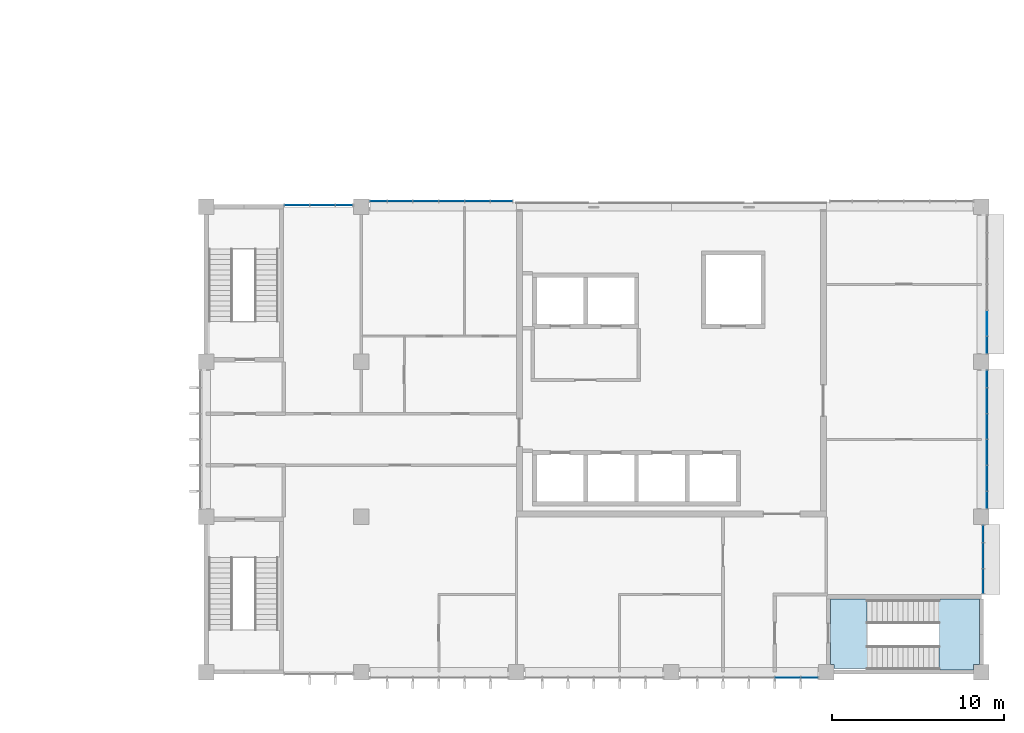
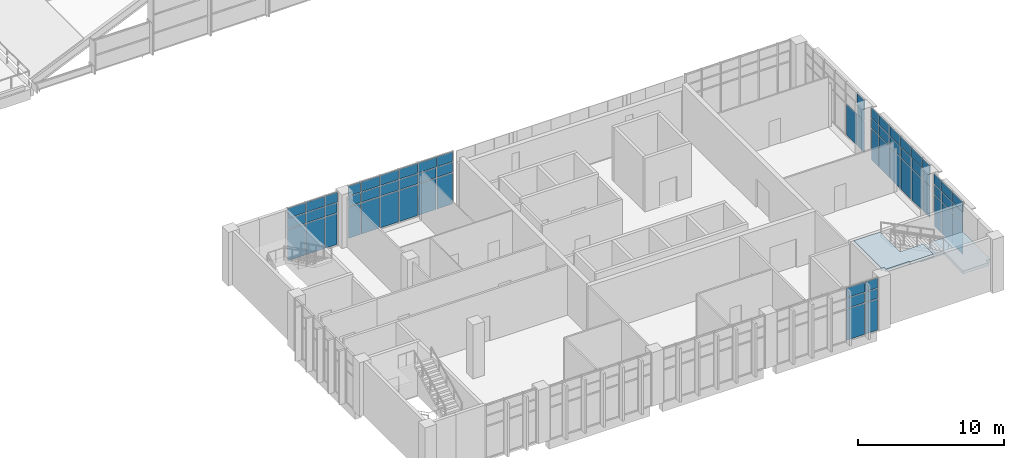
# One storey, part 63 of 106: 64 plates, 2 slabs, 7 elements without a shape of their own.
"""IFC4 building model written with IfcOpenShell, lengths in metres."""

from ifc_helpers import new_model, si_unit, direction, frame, origin, origin_2d, place, context, subcontext, project, spatial, polyline, rectangle, outline, extrude, material, layer, layer_set, type_object, element, aggregate, save


model = new_model("IFC4")

# Units and contexts
model_context = context("Model", 3, precision=1e-05, world=origin(), true_north=direction((0.0, 1.0)))
body_context = subcontext(model_context, "Body", "Model", "MODEL_VIEW")
ifc_project = project(units=[si_unit("LENGTHUNIT", "METRE"), si_unit("AREAUNIT", "SQUARE_METRE"), si_unit("VOLUMEUNIT", "CUBIC_METRE"), si_unit("PLANEANGLEUNIT", "RADIAN"), si_unit("MASSUNIT", "GRAM", prefix="KILO")], contexts=[model_context])

# Site, building, storey
site_placement = place(None, origin())
site = spatial("IfcSite", under=ifc_project, at=site_placement, CompositionType="ELEMENT")
building_placement = place(site_placement, origin())
building = spatial("IfcBuilding", under=site, at=building_placement, Name="Guidao Yard Department Store", CompositionType="ELEMENT")
storey_placement = place(building_placement, frame((0.0, 0.0, 10.5)))
storey = spatial("IfcBuildingStorey", under=building, at=storey_placement, Name="L02", CompositionType="ELEMENT", Elevation=10.5)

# Curtain wall, plates
ifc_material_1 = material(Name="Aluminium and glass", Category="aluminium")
ifc_layer_1 = layer(ifc_material_1, 0.159912109375)
ifc_layer_set_1 = layer_set([ifc_layer_1], Name="Unitised curtain wall CW4 1500 module")
curtain_wall_type = type_object("IfcCurtainWallType", Name="Unitised curtain wall CW4 1500 module", PredefinedType="NOTDEFINED", material=ifc_layer_set_1)
curtain_wall_1_placement = place(storey_placement, origin())
curtain_wall_1 = element("IfcCurtainWall", 1, at=curtain_wall_1_placement, inside=storey, type_object=curtain_wall_type, Name="Unitised curtain wall", PredefinedType="NOTDEFINED")
ifc_material_2 = material(Name="Aluminium 6063-T5 faced insulated spandrel", Category="aluminium")
ifc_layer_2 = layer(ifc_material_2, 0.06005859375)
ifc_layer_set_2 = layer_set([ifc_layer_2], Name="Spandrel panel SP1 insulated opaque")
plate_type_1 = type_object("IfcPlateType", Name="Spandrel panel SP1 insulated opaque", PredefinedType="CURTAIN_PANEL", material=ifc_layer_set_2)
plate_1_placement = place(storey_placement, frame((159.75, -0.330078125, 3.6298828125), z_axis=(0.0, 0.0, 1.0), x_axis=(-1.0, 0.0, 0.0)))
plate_1 = element("IfcPlate", 2, at=plate_1_placement, type_object=plate_type_1, Name="CW-OW-L02-04 panel 5.3", PredefinedType="CURTAIN_PANEL", context=body_context, shape_type="SweptSolid", body=[
    extrude(rectangle(XDim=1.43994140625, YDim=0.06005859375, at=origin_2d()), origin(), (0.0, 0.0, 1.0), 0.81005859375),
])
plate_2_placement = place(storey_placement, frame((161.010009765625, -0.330078125, 3.6298828125), z_axis=(0.0, 0.0, 1.0), x_axis=(-1.0, 0.0, 0.0)))
plate_2 = element("IfcPlate", 3, at=plate_2_placement, type_object=plate_type_1, Name="CW-OW-L02-04 panel 6.3", PredefinedType="CURTAIN_PANEL", context=body_context, shape_type="SweptSolid", body=[
    extrude(rectangle(XDim=0.9599609375, YDim=0.06005859375, at=origin_2d()), origin(), (0.0, 0.0, 1.0), 0.81005859375),
])

curtain_wall_2_placement = place(storey_placement, origin())
curtain_wall_2 = element("IfcCurtainWall", 4, at=curtain_wall_2_placement, inside=storey, type_object=curtain_wall_type, Name="Unitised curtain wall", PredefinedType="NOTDEFINED")
plate_3_placement = place(storey_placement, frame((131.264892578125, 27.10009765625, 3.6298828125), z_axis=(0.0, 0.0, 1.0), x_axis=(1.0, 0.0, 0.0)))
plate_3 = element("IfcPlate", 5, at=plate_3_placement, type_object=plate_type_1, Name="CW-OW-L02-06 panel 1.3", PredefinedType="CURTAIN_PANEL", context=body_context, shape_type="SweptSolid", body=[
    extrude(rectangle(XDim=1.409912109375, YDim=0.06005859375, at=origin_2d()), origin(), (0.0, 0.0, 1.0), 0.81005859375),
])
plate_4_placement = place(storey_placement, frame((132.75, 27.10009765625, 3.6298828125), z_axis=(0.0, 0.0, 1.0), x_axis=(1.0, 0.0, 0.0)))
plate_4 = element("IfcPlate", 6, at=plate_4_placement, type_object=plate_type_1, Name="CW-OW-L02-06 panel 2.3", PredefinedType="CURTAIN_PANEL", context=body_context, shape_type="SweptSolid", body=[
    extrude(rectangle(XDim=1.43994140625, YDim=0.06005859375, at=origin_2d()), origin(), (0.0, 0.0, 1.0), 0.81005859375),
])
plate_5_placement = place(storey_placement, frame((134.010009765625, 27.10009765625, 3.6298828125), z_axis=(0.0, 0.0, 1.0), x_axis=(1.0, 0.0, 0.0)))
plate_5 = element("IfcPlate", 7, at=plate_5_placement, type_object=plate_type_1, Name="CW-OW-L02-06 panel 3.3", PredefinedType="CURTAIN_PANEL", context=body_context, shape_type="SweptSolid", body=[
    extrude(rectangle(XDim=0.9599609375, YDim=0.06005859375, at=origin_2d()), origin(), (0.0, 0.0, 1.0), 0.81005859375),
])

curtain_wall_3_placement = place(storey_placement, origin())
curtain_wall_3 = element("IfcCurtainWall", 8, at=curtain_wall_3_placement, inside=storey, type_object=curtain_wall_type, Name="Unitised curtain wall", PredefinedType="NOTDEFINED")
plate_6_placement = place(storey_placement, frame((135.989990234375, 27.330078125, 3.6298828125), z_axis=(0.0, 0.0, 1.0), x_axis=(1.0, 0.0, 0.0)))
plate_6 = element("IfcPlate", 9, at=plate_6_placement, type_object=plate_type_1, Name="CW-OW-L02-07 panel 1.3", PredefinedType="CURTAIN_PANEL", context=body_context, shape_type="SweptSolid", body=[
    extrude(rectangle(XDim=0.9599609375, YDim=0.06005859375, at=origin_2d()), origin(), (0.0, 0.0, 1.0), 0.81005859375),
])
plate_7_placement = place(storey_placement, frame((137.25, 27.330078125, 3.6298828125), z_axis=(0.0, 0.0, 1.0), x_axis=(1.0, 0.0, 0.0)))
plate_7 = element("IfcPlate", 10, at=plate_7_placement, type_object=plate_type_1, Name="CW-OW-L02-07 panel 2.3", PredefinedType="CURTAIN_PANEL", context=body_context, shape_type="SweptSolid", body=[
    extrude(rectangle(XDim=1.43994140625, YDim=0.06005859375, at=origin_2d()), origin(), (0.0, 0.0, 1.0), 0.81005859375),
])
plate_8_placement = place(storey_placement, frame((138.75, 27.330078125, 3.6298828125), z_axis=(0.0, 0.0, 1.0), x_axis=(1.0, 0.0, 0.0)))
plate_8 = element("IfcPlate", 11, at=plate_8_placement, type_object=plate_type_1, Name="CW-OW-L02-07 panel 3.3", PredefinedType="CURTAIN_PANEL", context=body_context, shape_type="SweptSolid", body=[
    extrude(rectangle(XDim=1.43994140625, YDim=0.06005859375, at=origin_2d()), origin(), (0.0, 0.0, 1.0), 0.81005859375),
])
plate_9_placement = place(storey_placement, frame((140.25, 27.330078125, 3.6298828125), z_axis=(0.0, 0.0, 1.0), x_axis=(1.0, 0.0, 0.0)))
plate_9 = element("IfcPlate", 12, at=plate_9_placement, type_object=plate_type_1, Name="CW-OW-L02-07 panel 4.3", PredefinedType="CURTAIN_PANEL", context=body_context, shape_type="SweptSolid", body=[
    extrude(rectangle(XDim=1.43994140625, YDim=0.06005859375, at=origin_2d()), origin(), (0.0, 0.0, 1.0), 0.81005859375),
])
plate_10_placement = place(storey_placement, frame((141.75, 27.330078125, 3.6298828125), z_axis=(0.0, 0.0, 1.0), x_axis=(1.0, 0.0, 0.0)))
plate_10 = element("IfcPlate", 13, at=plate_10_placement, type_object=plate_type_1, Name="CW-OW-L02-07 panel 5.3", PredefinedType="CURTAIN_PANEL", context=body_context, shape_type="SweptSolid", body=[
    extrude(rectangle(XDim=1.43994140625, YDim=0.06005859375, at=origin_2d()), origin(), (0.0, 0.0, 1.0), 0.81005859375),
])
plate_11_placement = place(storey_placement, frame((143.1474609375, 27.330078125, 3.6298828125), z_axis=(0.0, 0.0, 1.0), x_axis=(1.0, 0.0, 0.0)))
plate_11 = element("IfcPlate", 14, at=plate_11_placement, type_object=plate_type_1, Name="CW-OW-L02-07 panel 6.3", PredefinedType="CURTAIN_PANEL", context=body_context, shape_type="SweptSolid", body=[
    extrude(rectangle(XDim=1.235107421875, YDim=0.06005859375, at=origin_2d()), origin(), (0.0, 0.0, 1.0), 0.81005859375),
])

curtain_wall_4_placement = place(storey_placement, origin())
curtain_wall_4 = element("IfcCurtainWall", 15, at=curtain_wall_4_placement, inside=storey, type_object=curtain_wall_type, Name="Unitised curtain wall", PredefinedType="NOTDEFINED")
plate_12_placement = place(storey_placement, frame((171.10009765625, 5.264892578125, 3.6298828125), z_axis=(0.0, 0.0, 1.0), x_axis=(0.0, -1.0, 0.0)))
plate_12 = element("IfcPlate", 16, at=plate_12_placement, type_object=plate_type_1, Name="CW-OW-L02-09 panel 1.3", PredefinedType="CURTAIN_PANEL", context=body_context, shape_type="SweptSolid", body=[
    extrude(rectangle(XDim=1.409912109375, YDim=0.06005859375, at=origin_2d()), origin(), (0.0, 0.0, 1.0), 0.81005859375),
])
plate_13_placement = place(storey_placement, frame((171.10009765625, 6.75, 3.6298828125), z_axis=(0.0, 0.0, 1.0), x_axis=(0.0, -1.0, 0.0)))
plate_13 = element("IfcPlate", 17, at=plate_13_placement, type_object=plate_type_1, Name="CW-OW-L02-09 panel 2.3", PredefinedType="CURTAIN_PANEL", context=body_context, shape_type="SweptSolid", body=[
    extrude(rectangle(XDim=1.43994140625, YDim=0.06005859375, at=origin_2d()), origin(), (0.0, 0.0, 1.0), 0.81005859375),
])
plate_14_placement = place(storey_placement, frame((171.10009765625, 8.010009765625, 3.6298828125), z_axis=(0.0, 0.0, 1.0), x_axis=(0.0, -1.0, 0.0)))
plate_14 = element("IfcPlate", 18, at=plate_14_placement, type_object=plate_type_1, Name="CW-OW-L02-09 panel 3.3", PredefinedType="CURTAIN_PANEL", context=body_context, shape_type="SweptSolid", body=[
    extrude(rectangle(XDim=0.9599609375, YDim=0.06005859375, at=origin_2d()), origin(), (0.0, 0.0, 1.0), 0.81005859375),
])

curtain_wall_5_placement = place(storey_placement, origin())
curtain_wall_5 = element("IfcCurtainWall", 19, at=curtain_wall_5_placement, inside=storey, type_object=curtain_wall_type, Name="Unitised curtain wall", PredefinedType="NOTDEFINED")
plate_15_placement = place(storey_placement, frame((171.330078125, 9.989990234375, 3.6298828125), z_axis=(0.0, 0.0, 1.0), x_axis=(0.0, -1.0, 0.0)))
plate_15 = element("IfcPlate", 20, at=plate_15_placement, type_object=plate_type_1, Name="CW-OW-L02-10 panel 1.3", PredefinedType="CURTAIN_PANEL", context=body_context, shape_type="SweptSolid", body=[
    extrude(rectangle(XDim=0.9599609375, YDim=0.06005859375, at=origin_2d()), origin(), (0.0, 0.0, 1.0), 0.81005859375),
])
plate_16_placement = place(storey_placement, frame((171.330078125, 11.25, 3.6298828125), z_axis=(0.0, 0.0, 1.0), x_axis=(0.0, -1.0, 0.0)))
plate_16 = element("IfcPlate", 21, at=plate_16_placement, type_object=plate_type_1, Name="CW-OW-L02-10 panel 2.3", PredefinedType="CURTAIN_PANEL", context=body_context, shape_type="SweptSolid", body=[
    extrude(rectangle(XDim=1.43994140625, YDim=0.06005859375, at=origin_2d()), origin(), (0.0, 0.0, 1.0), 0.81005859375),
])
plate_17_placement = place(storey_placement, frame((171.330078125, 12.75, 3.6298828125), z_axis=(0.0, 0.0, 1.0), x_axis=(0.0, -1.0, 0.0)))
plate_17 = element("IfcPlate", 22, at=plate_17_placement, type_object=plate_type_1, Name="CW-OW-L02-10 panel 3.3", PredefinedType="CURTAIN_PANEL", context=body_context, shape_type="SweptSolid", body=[
    extrude(rectangle(XDim=1.43994140625, YDim=0.06005859375, at=origin_2d()), origin(), (0.0, 0.0, 1.0), 0.81005859375),
])
plate_18_placement = place(storey_placement, frame((171.330078125, 14.25, 3.6298828125), z_axis=(0.0, 0.0, 1.0), x_axis=(0.0, -1.0, 0.0)))
plate_18 = element("IfcPlate", 23, at=plate_18_placement, type_object=plate_type_1, Name="CW-OW-L02-10 panel 4.3", PredefinedType="CURTAIN_PANEL", context=body_context, shape_type="SweptSolid", body=[
    extrude(rectangle(XDim=1.43994140625, YDim=0.06005859375, at=origin_2d()), origin(), (0.0, 0.0, 1.0), 0.81005859375),
])
plate_19_placement = place(storey_placement, frame((171.330078125, 15.75, 3.6298828125), z_axis=(0.0, 0.0, 1.0), x_axis=(0.0, -1.0, 0.0)))
plate_19 = element("IfcPlate", 24, at=plate_19_placement, type_object=plate_type_1, Name="CW-OW-L02-10 panel 5.3", PredefinedType="CURTAIN_PANEL", context=body_context, shape_type="SweptSolid", body=[
    extrude(rectangle(XDim=1.43994140625, YDim=0.06005859375, at=origin_2d()), origin(), (0.0, 0.0, 1.0), 0.81005859375),
])
plate_20_placement = place(storey_placement, frame((171.330078125, 17.010009765625, 3.6298828125), z_axis=(0.0, 0.0, 1.0), x_axis=(0.0, -1.0, 0.0)))
plate_20 = element("IfcPlate", 25, at=plate_20_placement, type_object=plate_type_1, Name="CW-OW-L02-10 panel 6.3", PredefinedType="CURTAIN_PANEL", context=body_context, shape_type="SweptSolid", body=[
    extrude(rectangle(XDim=0.9599609375, YDim=0.06005859375, at=origin_2d()), origin(), (0.0, 0.0, 1.0), 0.81005859375),
])

# Curtain wall, plate
curtain_wall_6_placement = place(storey_placement, origin())
curtain_wall_6 = element("IfcCurtainWall", 26, at=curtain_wall_6_placement, inside=storey, type_object=curtain_wall_type, Name="Unitised curtain wall", PredefinedType="NOTDEFINED")
plate_21_placement = place(storey_placement, frame((171.330078125, 18.989990234375, 3.6298828125), z_axis=(0.0, 0.0, 1.0), x_axis=(0.0, -1.0, 0.0)))
plate_21 = element("IfcPlate", 27, at=plate_21_placement, type_object=plate_type_1, Name="CW-OW-L02-11 panel 1.3", PredefinedType="CURTAIN_PANEL", context=body_context, shape_type="SweptSolid", body=[
    extrude(rectangle(XDim=0.9599609375, YDim=0.06005859375, at=origin_2d()), origin(), (0.0, 0.0, 1.0), 0.81005859375),
])

# Stair, slabs
ifc_material_3 = material(Name="Concrete C35", Category="concrete")
stair_type = type_object("IfcStairType", Name="Stair half-turn two-flight 1400 wide 4.5 m rise", PredefinedType="HALF_TURN_STAIR", material=ifc_material_3)
stair_placement = place(storey_placement, origin())
stair = element("IfcStair", 28, at=stair_placement, inside=storey, type_object=stair_type, Name="Stair O2 L02 to L03", PredefinedType="HALF_TURN_STAIR")
ifc_material_4 = material(Name="Concrete C35", Category="concrete")
ifc_layer_3 = layer(ifc_material_4, 0.25)
ifc_layer_set_3 = layer_set([ifc_layer_3], Name="Stair landing RC 250 C35")
slab_type = type_object("IfcSlabType", Name="Stair landing RC 250 C35", PredefinedType="LANDING", material=ifc_layer_set_3)
slab_1_placement = place(storey_placement, frame((0.0, 0.0, 2.0)))
slab_1 = element("IfcSlab", 29, at=slab_1_placement, type_object=slab_type, Name="SO2-L02 landing 1", PredefinedType="LANDING", context=body_context, shape_type="SweptSolid", body=[
    extrude(outline(polyline([(168.550048828125, 1.52490234375), (168.550048828125, 2.800048828125), (166.719970703125, 2.800048828125), (166.719970703125, 4.199951171875), (168.550048828125, 4.199951171875), (168.550048828125, 4.25), (170.875, 4.25), (170.875, 0.449951171875), (170.550048828125, 0.449951171875), (170.550048828125, 0.125), (168.550048828125, 0.125), (168.5400390625, 0.125), (168.5400390625, 1.52490234375), (168.550048828125, 1.52490234375)])), origin(), (0.0, 0.0, 1.0), 0.25),
])
slab_2_placement = place(storey_placement, frame((0.0, 0.0, 4.25)))
slab_2 = element("IfcSlab", 30, at=slab_2_placement, type_object=slab_type, Name="SO2-L02 landing 2", PredefinedType="LANDING", context=body_context, shape_type="SweptSolid", body=[
    extrude(outline(polyline([(164.35009765625, 0.125), (164.35009765625, 0.199951171875), (162.449951171875, 0.199951171875), (162.449951171875, 0.449951171875), (162.25, 0.449951171875), (162.25, 2.800048828125), (162.25, 4.25), (164.360107421875, 4.25), (164.360107421875, 2.800048828125), (164.35009765625, 2.800048828125), (164.35009765625, 1.52490234375), (166.179931640625, 1.52490234375), (166.179931640625, 0.125), (164.35009765625, 0.125)])), origin(), (0.0, 0.0, 1.0), 0.25),
])
aggregate(stair, [slab_1, slab_2])

# Plate
ifc_material_5 = material(Name="Laminated heat-soaked tempered glass", Category="glass")
ifc_layer_4 = layer(ifc_material_5, 0.017578125)
ifc_layer_set_4 = layer_set([ifc_layer_4], Name="Vision glass VG1 laminated heat-soaked tempered 8+8")
plate_type_2 = type_object("IfcPlateType", Name="Vision glass VG1 laminated heat-soaked tempered 8+8", PredefinedType="CURTAIN_PANEL", material=ifc_layer_set_4)
plate_22_placement = place(storey_placement, frame((159.75, -0.330078125, 0.06005859375), z_axis=(0.0, 0.0, 1.0), x_axis=(-1.0, 0.0, 0.0)))
plate_22 = element("IfcPlate", 31, at=plate_22_placement, type_object=plate_type_2, Name="CW-OW-L02-04 panel 5.1", PredefinedType="CURTAIN_PANEL", context=body_context, shape_type="SweptSolid", body=[
    extrude(rectangle(XDim=1.43994140625, YDim=0.017578125, at=origin_2d()), origin(), (0.0, 0.0, 1.0), 2.610107421875),
])

plate_23_placement = place(storey_placement, frame((159.75, -0.330078125, 2.72998046875), z_axis=(0.0, 0.0, 1.0), x_axis=(-1.0, 0.0, 0.0)))
plate_23 = element("IfcPlate", 32, at=plate_23_placement, type_object=plate_type_2, Name="CW-OW-L02-04 panel 5.2", PredefinedType="CURTAIN_PANEL", context=body_context, shape_type="SweptSolid", body=[
    extrude(rectangle(XDim=1.43994140625, YDim=0.017578125, at=origin_2d()), origin(), (0.0, 0.0, 1.0), 0.840087890625),
])

plate_24_placement = place(storey_placement, frame((161.010009765625, -0.330078125, 0.06005859375), z_axis=(0.0, 0.0, 1.0), x_axis=(-1.0, 0.0, 0.0)))
plate_24 = element("IfcPlate", 33, at=plate_24_placement, type_object=plate_type_2, Name="CW-OW-L02-04 panel 6.1", PredefinedType="CURTAIN_PANEL", context=body_context, shape_type="SweptSolid", body=[
    extrude(rectangle(XDim=0.9599609375, YDim=0.017578125, at=origin_2d()), origin(), (0.0, 0.0, 1.0), 2.610107421875),
])

plate_25_placement = place(storey_placement, frame((161.010009765625, -0.330078125, 2.72998046875), z_axis=(0.0, 0.0, 1.0), x_axis=(-1.0, 0.0, 0.0)))
plate_25 = element("IfcPlate", 34, at=plate_25_placement, type_object=plate_type_2, Name="CW-OW-L02-04 panel 6.2", PredefinedType="CURTAIN_PANEL", context=body_context, shape_type="SweptSolid", body=[
    extrude(rectangle(XDim=0.9599609375, YDim=0.017578125, at=origin_2d()), origin(), (0.0, 0.0, 1.0), 0.840087890625),
])

aggregate(curtain_wall_1, [plate_22, plate_23, plate_1, plate_24, plate_25, plate_2])

plate_26_placement = place(storey_placement, frame((131.264892578125, 27.10009765625, 0.06005859375), z_axis=(0.0, 0.0, 1.0), x_axis=(1.0, 0.0, 0.0)))
plate_26 = element("IfcPlate", 35, at=plate_26_placement, type_object=plate_type_2, Name="CW-OW-L02-06 panel 1.1", PredefinedType="CURTAIN_PANEL", context=body_context, shape_type="SweptSolid", body=[
    extrude(rectangle(XDim=1.409912109375, YDim=0.017578125, at=origin_2d()), origin(), (0.0, 0.0, 1.0), 2.610107421875),
])

plate_27_placement = place(storey_placement, frame((131.264892578125, 27.10009765625, 2.72998046875), z_axis=(0.0, 0.0, 1.0), x_axis=(1.0, 0.0, 0.0)))
plate_27 = element("IfcPlate", 36, at=plate_27_placement, type_object=plate_type_2, Name="CW-OW-L02-06 panel 1.2", PredefinedType="CURTAIN_PANEL", context=body_context, shape_type="SweptSolid", body=[
    extrude(rectangle(XDim=1.409912109375, YDim=0.017578125, at=origin_2d()), origin(), (0.0, 0.0, 1.0), 0.840087890625),
])

plate_28_placement = place(storey_placement, frame((132.75, 27.10009765625, 0.06005859375), z_axis=(0.0, 0.0, 1.0), x_axis=(1.0, 0.0, 0.0)))
plate_28 = element("IfcPlate", 37, at=plate_28_placement, type_object=plate_type_2, Name="CW-OW-L02-06 panel 2.1", PredefinedType="CURTAIN_PANEL", context=body_context, shape_type="SweptSolid", body=[
    extrude(rectangle(XDim=1.43994140625, YDim=0.017578125, at=origin_2d()), origin(), (0.0, 0.0, 1.0), 2.610107421875),
])

plate_29_placement = place(storey_placement, frame((132.75, 27.10009765625, 2.72998046875), z_axis=(0.0, 0.0, 1.0), x_axis=(1.0, 0.0, 0.0)))
plate_29 = element("IfcPlate", 38, at=plate_29_placement, type_object=plate_type_2, Name="CW-OW-L02-06 panel 2.2", PredefinedType="CURTAIN_PANEL", context=body_context, shape_type="SweptSolid", body=[
    extrude(rectangle(XDim=1.43994140625, YDim=0.017578125, at=origin_2d()), origin(), (0.0, 0.0, 1.0), 0.840087890625),
])

plate_30_placement = place(storey_placement, frame((134.010009765625, 27.10009765625, 0.06005859375), z_axis=(0.0, 0.0, 1.0), x_axis=(1.0, 0.0, 0.0)))
plate_30 = element("IfcPlate", 39, at=plate_30_placement, type_object=plate_type_2, Name="CW-OW-L02-06 panel 3.1", PredefinedType="CURTAIN_PANEL", context=body_context, shape_type="SweptSolid", body=[
    extrude(rectangle(XDim=0.9599609375, YDim=0.017578125, at=origin_2d()), origin(), (0.0, 0.0, 1.0), 2.610107421875),
])

plate_31_placement = place(storey_placement, frame((134.010009765625, 27.10009765625, 2.72998046875), z_axis=(0.0, 0.0, 1.0), x_axis=(1.0, 0.0, 0.0)))
plate_31 = element("IfcPlate", 40, at=plate_31_placement, type_object=plate_type_2, Name="CW-OW-L02-06 panel 3.2", PredefinedType="CURTAIN_PANEL", context=body_context, shape_type="SweptSolid", body=[
    extrude(rectangle(XDim=0.9599609375, YDim=0.017578125, at=origin_2d()), origin(), (0.0, 0.0, 1.0), 0.840087890625),
])

aggregate(curtain_wall_2, [plate_26, plate_27, plate_3, plate_28, plate_29, plate_4, plate_30, plate_31, plate_5])

plate_32_placement = place(storey_placement, frame((135.989990234375, 27.330078125, 0.06005859375), z_axis=(0.0, 0.0, 1.0), x_axis=(1.0, 0.0, 0.0)))
plate_32 = element("IfcPlate", 41, at=plate_32_placement, type_object=plate_type_2, Name="CW-OW-L02-07 panel 1.1", PredefinedType="CURTAIN_PANEL", context=body_context, shape_type="SweptSolid", body=[
    extrude(rectangle(XDim=0.9599609375, YDim=0.017578125, at=origin_2d()), origin(), (0.0, 0.0, 1.0), 2.610107421875),
])

plate_33_placement = place(storey_placement, frame((135.989990234375, 27.330078125, 2.72998046875), z_axis=(0.0, 0.0, 1.0), x_axis=(1.0, 0.0, 0.0)))
plate_33 = element("IfcPlate", 42, at=plate_33_placement, type_object=plate_type_2, Name="CW-OW-L02-07 panel 1.2", PredefinedType="CURTAIN_PANEL", context=body_context, shape_type="SweptSolid", body=[
    extrude(rectangle(XDim=0.9599609375, YDim=0.017578125, at=origin_2d()), origin(), (0.0, 0.0, 1.0), 0.840087890625),
])

plate_34_placement = place(storey_placement, frame((137.25, 27.330078125, 0.06005859375), z_axis=(0.0, 0.0, 1.0), x_axis=(1.0, 0.0, 0.0)))
plate_34 = element("IfcPlate", 43, at=plate_34_placement, type_object=plate_type_2, Name="CW-OW-L02-07 panel 2.1", PredefinedType="CURTAIN_PANEL", context=body_context, shape_type="SweptSolid", body=[
    extrude(rectangle(XDim=1.43994140625, YDim=0.017578125, at=origin_2d()), origin(), (0.0, 0.0, 1.0), 2.610107421875),
])

plate_35_placement = place(storey_placement, frame((137.25, 27.330078125, 2.72998046875), z_axis=(0.0, 0.0, 1.0), x_axis=(1.0, 0.0, 0.0)))
plate_35 = element("IfcPlate", 44, at=plate_35_placement, type_object=plate_type_2, Name="CW-OW-L02-07 panel 2.2", PredefinedType="CURTAIN_PANEL", context=body_context, shape_type="SweptSolid", body=[
    extrude(rectangle(XDim=1.43994140625, YDim=0.017578125, at=origin_2d()), origin(), (0.0, 0.0, 1.0), 0.840087890625),
])

plate_36_placement = place(storey_placement, frame((138.75, 27.330078125, 0.06005859375), z_axis=(0.0, 0.0, 1.0), x_axis=(1.0, 0.0, 0.0)))
plate_36 = element("IfcPlate", 45, at=plate_36_placement, type_object=plate_type_2, Name="CW-OW-L02-07 panel 3.1", PredefinedType="CURTAIN_PANEL", context=body_context, shape_type="SweptSolid", body=[
    extrude(rectangle(XDim=1.43994140625, YDim=0.017578125, at=origin_2d()), origin(), (0.0, 0.0, 1.0), 2.610107421875),
])

plate_37_placement = place(storey_placement, frame((138.75, 27.330078125, 2.72998046875), z_axis=(0.0, 0.0, 1.0), x_axis=(1.0, 0.0, 0.0)))
plate_37 = element("IfcPlate", 46, at=plate_37_placement, type_object=plate_type_2, Name="CW-OW-L02-07 panel 3.2", PredefinedType="CURTAIN_PANEL", context=body_context, shape_type="SweptSolid", body=[
    extrude(rectangle(XDim=1.43994140625, YDim=0.017578125, at=origin_2d()), origin(), (0.0, 0.0, 1.0), 0.840087890625),
])

plate_38_placement = place(storey_placement, frame((140.25, 27.330078125, 0.06005859375), z_axis=(0.0, 0.0, 1.0), x_axis=(1.0, 0.0, 0.0)))
plate_38 = element("IfcPlate", 47, at=plate_38_placement, type_object=plate_type_2, Name="CW-OW-L02-07 panel 4.1", PredefinedType="CURTAIN_PANEL", context=body_context, shape_type="SweptSolid", body=[
    extrude(rectangle(XDim=1.43994140625, YDim=0.017578125, at=origin_2d()), origin(), (0.0, 0.0, 1.0), 2.610107421875),
])

plate_39_placement = place(storey_placement, frame((140.25, 27.330078125, 2.72998046875), z_axis=(0.0, 0.0, 1.0), x_axis=(1.0, 0.0, 0.0)))
plate_39 = element("IfcPlate", 48, at=plate_39_placement, type_object=plate_type_2, Name="CW-OW-L02-07 panel 4.2", PredefinedType="CURTAIN_PANEL", context=body_context, shape_type="SweptSolid", body=[
    extrude(rectangle(XDim=1.43994140625, YDim=0.017578125, at=origin_2d()), origin(), (0.0, 0.0, 1.0), 0.840087890625),
])

plate_40_placement = place(storey_placement, frame((141.75, 27.330078125, 0.06005859375), z_axis=(0.0, 0.0, 1.0), x_axis=(1.0, 0.0, 0.0)))
plate_40 = element("IfcPlate", 49, at=plate_40_placement, type_object=plate_type_2, Name="CW-OW-L02-07 panel 5.1", PredefinedType="CURTAIN_PANEL", context=body_context, shape_type="SweptSolid", body=[
    extrude(rectangle(XDim=1.43994140625, YDim=0.017578125, at=origin_2d()), origin(), (0.0, 0.0, 1.0), 2.610107421875),
])

plate_41_placement = place(storey_placement, frame((141.75, 27.330078125, 2.72998046875), z_axis=(0.0, 0.0, 1.0), x_axis=(1.0, 0.0, 0.0)))
plate_41 = element("IfcPlate", 50, at=plate_41_placement, type_object=plate_type_2, Name="CW-OW-L02-07 panel 5.2", PredefinedType="CURTAIN_PANEL", context=body_context, shape_type="SweptSolid", body=[
    extrude(rectangle(XDim=1.43994140625, YDim=0.017578125, at=origin_2d()), origin(), (0.0, 0.0, 1.0), 0.840087890625),
])

plate_42_placement = place(storey_placement, frame((143.1474609375, 27.330078125, 0.06005859375), z_axis=(0.0, 0.0, 1.0), x_axis=(1.0, 0.0, 0.0)))
plate_42 = element("IfcPlate", 51, at=plate_42_placement, type_object=plate_type_2, Name="CW-OW-L02-07 panel 6.1", PredefinedType="CURTAIN_PANEL", context=body_context, shape_type="SweptSolid", body=[
    extrude(rectangle(XDim=1.235107421875, YDim=0.017578125, at=origin_2d()), origin(), (0.0, 0.0, 1.0), 2.610107421875),
])

plate_43_placement = place(storey_placement, frame((143.1474609375, 27.330078125, 2.72998046875), z_axis=(0.0, 0.0, 1.0), x_axis=(1.0, 0.0, 0.0)))
plate_43 = element("IfcPlate", 52, at=plate_43_placement, type_object=plate_type_2, Name="CW-OW-L02-07 panel 6.2", PredefinedType="CURTAIN_PANEL", context=body_context, shape_type="SweptSolid", body=[
    extrude(rectangle(XDim=1.235107421875, YDim=0.017578125, at=origin_2d()), origin(), (0.0, 0.0, 1.0), 0.840087890625),
])

aggregate(curtain_wall_3, [plate_32, plate_33, plate_6, plate_34, plate_35, plate_7, plate_36, plate_37, plate_8, plate_38, plate_39, plate_9, plate_40, plate_41, plate_10, plate_42, plate_43, plate_11])

plate_44_placement = place(storey_placement, frame((171.10009765625, 5.264892578125, 0.06005859375), z_axis=(0.0, 0.0, 1.0), x_axis=(0.0, -1.0, 0.0)))
plate_44 = element("IfcPlate", 53, at=plate_44_placement, type_object=plate_type_2, Name="CW-OW-L02-09 panel 1.1", PredefinedType="CURTAIN_PANEL", context=body_context, shape_type="SweptSolid", body=[
    extrude(rectangle(XDim=1.409912109375, YDim=0.017578125, at=origin_2d()), origin(), (0.0, 0.0, 1.0), 2.610107421875),
])

plate_45_placement = place(storey_placement, frame((171.10009765625, 5.264892578125, 2.72998046875), z_axis=(0.0, 0.0, 1.0), x_axis=(0.0, -1.0, 0.0)))
plate_45 = element("IfcPlate", 54, at=plate_45_placement, type_object=plate_type_2, Name="CW-OW-L02-09 panel 1.2", PredefinedType="CURTAIN_PANEL", context=body_context, shape_type="SweptSolid", body=[
    extrude(rectangle(XDim=1.409912109375, YDim=0.017578125, at=origin_2d()), origin(), (0.0, 0.0, 1.0), 0.840087890625),
])

plate_46_placement = place(storey_placement, frame((171.10009765625, 6.75, 0.06005859375), z_axis=(0.0, 0.0, 1.0), x_axis=(0.0, -1.0, 0.0)))
plate_46 = element("IfcPlate", 55, at=plate_46_placement, type_object=plate_type_2, Name="CW-OW-L02-09 panel 2.1", PredefinedType="CURTAIN_PANEL", context=body_context, shape_type="SweptSolid", body=[
    extrude(rectangle(XDim=1.43994140625, YDim=0.017578125, at=origin_2d()), origin(), (0.0, 0.0, 1.0), 2.610107421875),
])

plate_47_placement = place(storey_placement, frame((171.10009765625, 6.75, 2.72998046875), z_axis=(0.0, 0.0, 1.0), x_axis=(0.0, -1.0, 0.0)))
plate_47 = element("IfcPlate", 56, at=plate_47_placement, type_object=plate_type_2, Name="CW-OW-L02-09 panel 2.2", PredefinedType="CURTAIN_PANEL", context=body_context, shape_type="SweptSolid", body=[
    extrude(rectangle(XDim=1.43994140625, YDim=0.017578125, at=origin_2d()), origin(), (0.0, 0.0, 1.0), 0.840087890625),
])

plate_48_placement = place(storey_placement, frame((171.10009765625, 8.010009765625, 0.06005859375), z_axis=(0.0, 0.0, 1.0), x_axis=(0.0, -1.0, 0.0)))
plate_48 = element("IfcPlate", 57, at=plate_48_placement, type_object=plate_type_2, Name="CW-OW-L02-09 panel 3.1", PredefinedType="CURTAIN_PANEL", context=body_context, shape_type="SweptSolid", body=[
    extrude(rectangle(XDim=0.9599609375, YDim=0.017578125, at=origin_2d()), origin(), (0.0, 0.0, 1.0), 2.610107421875),
])

plate_49_placement = place(storey_placement, frame((171.10009765625, 8.010009765625, 2.72998046875), z_axis=(0.0, 0.0, 1.0), x_axis=(0.0, -1.0, 0.0)))
plate_49 = element("IfcPlate", 58, at=plate_49_placement, type_object=plate_type_2, Name="CW-OW-L02-09 panel 3.2", PredefinedType="CURTAIN_PANEL", context=body_context, shape_type="SweptSolid", body=[
    extrude(rectangle(XDim=0.9599609375, YDim=0.017578125, at=origin_2d()), origin(), (0.0, 0.0, 1.0), 0.840087890625),
])

aggregate(curtain_wall_4, [plate_44, plate_45, plate_12, plate_46, plate_47, plate_13, plate_48, plate_49, plate_14])

plate_50_placement = place(storey_placement, frame((171.330078125, 9.989990234375, 0.06005859375), z_axis=(0.0, 0.0, 1.0), x_axis=(0.0, -1.0, 0.0)))
plate_50 = element("IfcPlate", 59, at=plate_50_placement, type_object=plate_type_2, Name="CW-OW-L02-10 panel 1.1", PredefinedType="CURTAIN_PANEL", context=body_context, shape_type="SweptSolid", body=[
    extrude(rectangle(XDim=0.9599609375, YDim=0.017578125, at=origin_2d()), origin(), (0.0, 0.0, 1.0), 2.610107421875),
])

plate_51_placement = place(storey_placement, frame((171.330078125, 9.989990234375, 2.72998046875), z_axis=(0.0, 0.0, 1.0), x_axis=(0.0, -1.0, 0.0)))
plate_51 = element("IfcPlate", 60, at=plate_51_placement, type_object=plate_type_2, Name="CW-OW-L02-10 panel 1.2", PredefinedType="CURTAIN_PANEL", context=body_context, shape_type="SweptSolid", body=[
    extrude(rectangle(XDim=0.9599609375, YDim=0.017578125, at=origin_2d()), origin(), (0.0, 0.0, 1.0), 0.840087890625),
])

plate_52_placement = place(storey_placement, frame((171.330078125, 11.25, 0.06005859375), z_axis=(0.0, 0.0, 1.0), x_axis=(0.0, -1.0, 0.0)))
plate_52 = element("IfcPlate", 61, at=plate_52_placement, type_object=plate_type_2, Name="CW-OW-L02-10 panel 2.1", PredefinedType="CURTAIN_PANEL", context=body_context, shape_type="SweptSolid", body=[
    extrude(rectangle(XDim=1.43994140625, YDim=0.017578125, at=origin_2d()), origin(), (0.0, 0.0, 1.0), 2.610107421875),
])

plate_53_placement = place(storey_placement, frame((171.330078125, 11.25, 2.72998046875), z_axis=(0.0, 0.0, 1.0), x_axis=(0.0, -1.0, 0.0)))
plate_53 = element("IfcPlate", 62, at=plate_53_placement, type_object=plate_type_2, Name="CW-OW-L02-10 panel 2.2", PredefinedType="CURTAIN_PANEL", context=body_context, shape_type="SweptSolid", body=[
    extrude(rectangle(XDim=1.43994140625, YDim=0.017578125, at=origin_2d()), origin(), (0.0, 0.0, 1.0), 0.840087890625),
])

plate_54_placement = place(storey_placement, frame((171.330078125, 12.75, 0.06005859375), z_axis=(0.0, 0.0, 1.0), x_axis=(0.0, -1.0, 0.0)))
plate_54 = element("IfcPlate", 63, at=plate_54_placement, type_object=plate_type_2, Name="CW-OW-L02-10 panel 3.1", PredefinedType="CURTAIN_PANEL", context=body_context, shape_type="SweptSolid", body=[
    extrude(rectangle(XDim=1.43994140625, YDim=0.017578125, at=origin_2d()), origin(), (0.0, 0.0, 1.0), 2.610107421875),
])

plate_55_placement = place(storey_placement, frame((171.330078125, 12.75, 2.72998046875), z_axis=(0.0, 0.0, 1.0), x_axis=(0.0, -1.0, 0.0)))
plate_55 = element("IfcPlate", 64, at=plate_55_placement, type_object=plate_type_2, Name="CW-OW-L02-10 panel 3.2", PredefinedType="CURTAIN_PANEL", context=body_context, shape_type="SweptSolid", body=[
    extrude(rectangle(XDim=1.43994140625, YDim=0.017578125, at=origin_2d()), origin(), (0.0, 0.0, 1.0), 0.840087890625),
])

plate_56_placement = place(storey_placement, frame((171.330078125, 14.25, 0.06005859375), z_axis=(0.0, 0.0, 1.0), x_axis=(0.0, -1.0, 0.0)))
plate_56 = element("IfcPlate", 65, at=plate_56_placement, type_object=plate_type_2, Name="CW-OW-L02-10 panel 4.1", PredefinedType="CURTAIN_PANEL", context=body_context, shape_type="SweptSolid", body=[
    extrude(rectangle(XDim=1.43994140625, YDim=0.017578125, at=origin_2d()), origin(), (0.0, 0.0, 1.0), 2.610107421875),
])

plate_57_placement = place(storey_placement, frame((171.330078125, 14.25, 2.72998046875), z_axis=(0.0, 0.0, 1.0), x_axis=(0.0, -1.0, 0.0)))
plate_57 = element("IfcPlate", 66, at=plate_57_placement, type_object=plate_type_2, Name="CW-OW-L02-10 panel 4.2", PredefinedType="CURTAIN_PANEL", context=body_context, shape_type="SweptSolid", body=[
    extrude(rectangle(XDim=1.43994140625, YDim=0.017578125, at=origin_2d()), origin(), (0.0, 0.0, 1.0), 0.840087890625),
])

plate_58_placement = place(storey_placement, frame((171.330078125, 15.75, 0.06005859375), z_axis=(0.0, 0.0, 1.0), x_axis=(0.0, -1.0, 0.0)))
plate_58 = element("IfcPlate", 67, at=plate_58_placement, type_object=plate_type_2, Name="CW-OW-L02-10 panel 5.1", PredefinedType="CURTAIN_PANEL", context=body_context, shape_type="SweptSolid", body=[
    extrude(rectangle(XDim=1.43994140625, YDim=0.017578125, at=origin_2d()), origin(), (0.0, 0.0, 1.0), 2.610107421875),
])

plate_59_placement = place(storey_placement, frame((171.330078125, 15.75, 2.72998046875), z_axis=(0.0, 0.0, 1.0), x_axis=(0.0, -1.0, 0.0)))
plate_59 = element("IfcPlate", 68, at=plate_59_placement, type_object=plate_type_2, Name="CW-OW-L02-10 panel 5.2", PredefinedType="CURTAIN_PANEL", context=body_context, shape_type="SweptSolid", body=[
    extrude(rectangle(XDim=1.43994140625, YDim=0.017578125, at=origin_2d()), origin(), (0.0, 0.0, 1.0), 0.840087890625),
])

plate_60_placement = place(storey_placement, frame((171.330078125, 17.010009765625, 0.06005859375), z_axis=(0.0, 0.0, 1.0), x_axis=(0.0, -1.0, 0.0)))
plate_60 = element("IfcPlate", 69, at=plate_60_placement, type_object=plate_type_2, Name="CW-OW-L02-10 panel 6.1", PredefinedType="CURTAIN_PANEL", context=body_context, shape_type="SweptSolid", body=[
    extrude(rectangle(XDim=0.9599609375, YDim=0.017578125, at=origin_2d()), origin(), (0.0, 0.0, 1.0), 2.610107421875),
])

plate_61_placement = place(storey_placement, frame((171.330078125, 17.010009765625, 2.72998046875), z_axis=(0.0, 0.0, 1.0), x_axis=(0.0, -1.0, 0.0)))
plate_61 = element("IfcPlate", 70, at=plate_61_placement, type_object=plate_type_2, Name="CW-OW-L02-10 panel 6.2", PredefinedType="CURTAIN_PANEL", context=body_context, shape_type="SweptSolid", body=[
    extrude(rectangle(XDim=0.9599609375, YDim=0.017578125, at=origin_2d()), origin(), (0.0, 0.0, 1.0), 0.840087890625),
])

aggregate(curtain_wall_5, [plate_50, plate_51, plate_15, plate_52, plate_53, plate_16, plate_54, plate_55, plate_17, plate_56, plate_57, plate_18, plate_58, plate_59, plate_19, plate_60, plate_61, plate_20])

plate_62_placement = place(storey_placement, frame((171.330078125, 18.989990234375, 0.06005859375), z_axis=(0.0, 0.0, 1.0), x_axis=(0.0, -1.0, 0.0)))
plate_62 = element("IfcPlate", 71, at=plate_62_placement, type_object=plate_type_2, Name="CW-OW-L02-11 panel 1.1", PredefinedType="CURTAIN_PANEL", context=body_context, shape_type="SweptSolid", body=[
    extrude(rectangle(XDim=0.9599609375, YDim=0.017578125, at=origin_2d()), origin(), (0.0, 0.0, 1.0), 2.610107421875),
])

plate_63_placement = place(storey_placement, frame((171.330078125, 18.989990234375, 2.72998046875), z_axis=(0.0, 0.0, 1.0), x_axis=(0.0, -1.0, 0.0)))
plate_63 = element("IfcPlate", 72, at=plate_63_placement, type_object=plate_type_2, Name="CW-OW-L02-11 panel 1.2", PredefinedType="CURTAIN_PANEL", context=body_context, shape_type="SweptSolid", body=[
    extrude(rectangle(XDim=0.9599609375, YDim=0.017578125, at=origin_2d()), origin(), (0.0, 0.0, 1.0), 0.840087890625),
])

plate_64_placement = place(storey_placement, frame((171.330078125, 20.25, 0.06005859375), z_axis=(0.0, 0.0, 1.0), x_axis=(0.0, -1.0, 0.0)))
plate_64 = element("IfcPlate", 73, at=plate_64_placement, type_object=plate_type_2, Name="CW-OW-L02-11 panel 2.1", PredefinedType="CURTAIN_PANEL", context=body_context, shape_type="SweptSolid", body=[
    extrude(rectangle(XDim=1.43994140625, YDim=0.017578125, at=origin_2d()), origin(), (0.0, 0.0, 1.0), 2.610107421875),
])

aggregate(curtain_wall_6, [plate_62, plate_63, plate_21, plate_64])

save(model, "model.ifc")
